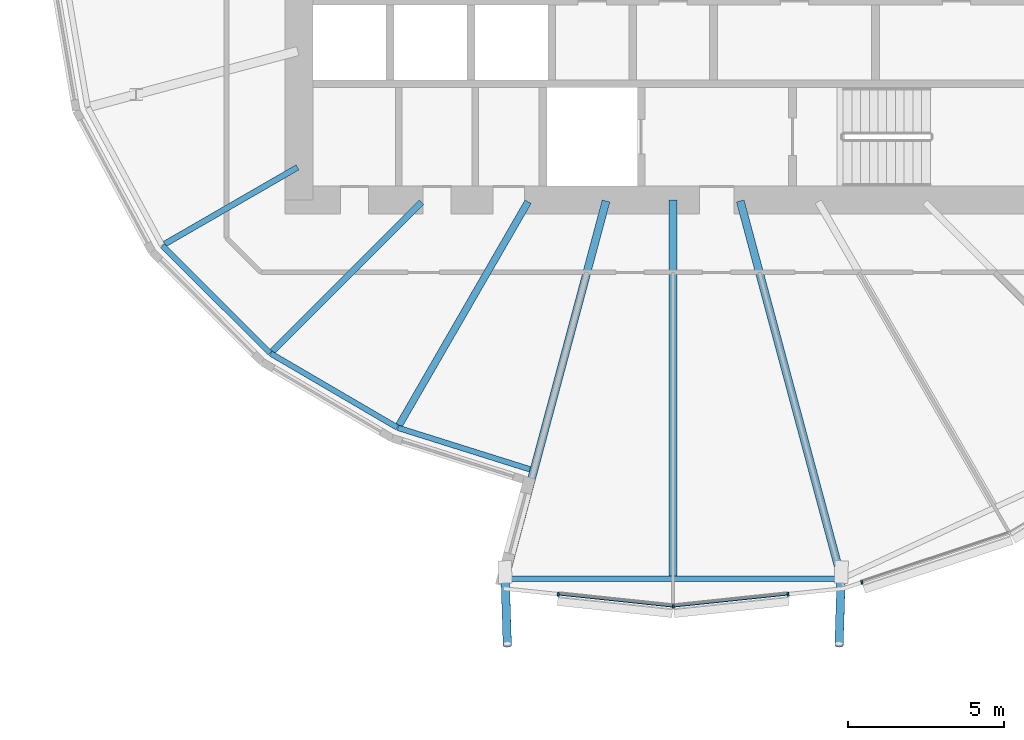
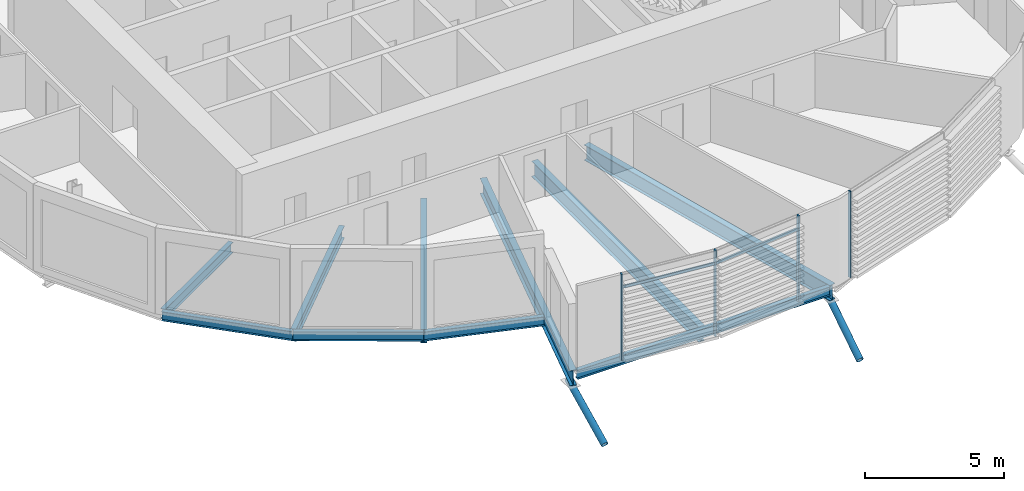
# One storey, part 3 of 38: 10 beams, 8 members, 1 element without a shape of its own.
"""IFC4 building model written with IfcOpenShell, lengths in metres."""

from ifc_helpers import new_model, si_unit, direction, frame, origin, origin_2d, place, context, subcontext, project, spatial, rectangle, hollow_circle, i_section, extrude, clip, halfspace, material, material_profile, profile_set, type_object, element, aggregate, save


model = new_model("IFC4")

# Units and contexts
model_context = context("Model", 3, precision=1e-05, world=origin(), true_north=direction((0.0, 1.0)))
body_context = subcontext(model_context, "Body", "Model", "MODEL_VIEW")
ifc_project = project(units=[si_unit("LENGTHUNIT", "METRE"), si_unit("AREAUNIT", "SQUARE_METRE"), si_unit("VOLUMEUNIT", "CUBIC_METRE"), si_unit("PLANEANGLEUNIT", "RADIAN"), si_unit("MASSUNIT", "GRAM", prefix="KILO")], contexts=[model_context])

# Site, building, storey
site_placement = place(None, origin())
site = spatial("IfcSite", under=ifc_project, at=site_placement, CompositionType="ELEMENT")
building_placement = place(site_placement, origin())
building = spatial("IfcBuilding", under=site, at=building_placement, Name="Rimbun Link Towers", CompositionType="ELEMENT")
storey_placement = place(building_placement, frame((0.0, 0.0, 68.0)))
storey = spatial("IfcBuildingStorey", under=building, at=storey_placement, Name="L16", CompositionType="ELEMENT", Elevation=68.0)

# Curtain wall, members
ifc_material_1 = material(Name="Aluminium 6063-T6 and low-iron glass", Category="aluminium")
curtain_wall_type = type_object("IfcCurtainWallType", Name="CW1 unitised vision wall", PredefinedType="NOTDEFINED", material=ifc_material_1)
curtain_wall_placement = place(storey_placement, origin())
curtain_wall = element("IfcCurtainWall", 1, at=curtain_wall_placement, inside=storey, type_object=curtain_wall_type, Name="CW1 L16 T1", PredefinedType="NOTDEFINED")
ifc_material_2 = material(Name="Aluminium 6063-T6", Category="aluminium")
ifc_material_profile_1 = material_profile(ifc_material_2, rectangle(XDim=0.1201171875, YDim=0.06005859375, at=origin_2d()), Name="MULLION 60X120")
ifc_profile_set_1 = profile_set([ifc_material_profile_1], Name="Aluminium 6063-T6")
member_type_1 = type_object("IfcMemberType", Name="CW1 mullion 60X120", PredefinedType="MULLION", material=ifc_profile_set_1)
member_1_placement = place(storey_placement, frame((-31.75, -21.037109375, 0.0), z_axis=(0.0, 0.0, 1.0), x_axis=(0.0, -1.0, 0.0)))
member_1 = element("IfcMember", 2, at=member_1_placement, type_object=member_type_1, Name="CW1 mullion", PredefinedType="MULLION", context=body_context, shape_type="SweptSolid", body=[
    extrude(rectangle(XDim=0.1201171875, YDim=0.06005859375, at=origin_2d()), origin(), (0.0, 0.0, 1.0), 3.800048828125),
])
member_2_placement = place(storey_placement, frame((-35.4326171875, -20.6494140625, 0.0), z_axis=(0.0, 0.0, 1.0), x_axis=(-0.104734976112, -0.994500168315, 0.0)))
member_2 = element("IfcMember", 3, at=member_2_placement, type_object=member_type_1, Name="CW1 mullion", PredefinedType="MULLION", context=body_context, shape_type="SweptSolid", body=[
    extrude(rectangle(XDim=0.1201171875, YDim=0.06005859375, at=origin_2d()), origin(), (0.0, 0.0, 1.0), 3.800048828125),
])
member_3_placement = place(storey_placement, frame((-28.0673828125, -20.6494140625, 0.0), z_axis=(0.0, 0.0, 1.0), x_axis=(0.104734976112, -0.994500168315, 0.0)))
member_3 = element("IfcMember", 4, at=member_3_placement, type_object=member_type_1, Name="CW1 mullion", PredefinedType="MULLION", context=body_context, shape_type="SweptSolid", body=[
    extrude(rectangle(XDim=0.1201171875, YDim=0.06005859375, at=origin_2d()), origin(), (0.0, 0.0, 1.0), 3.800048828125),
])
member_4_placement = place(storey_placement, frame((-25.695068359375, -20.26953125, 0.0), z_axis=(0.0, 0.0, 1.0), x_axis=(0.314555783293, -0.949238989505, 0.0)))
member_4 = element("IfcMember", 5, at=member_4_placement, type_object=member_type_1, Name="CW1 mullion", PredefinedType="MULLION", context=body_context, shape_type="SweptSolid", body=[
    extrude(rectangle(XDim=0.1201171875, YDim=0.06005859375, at=origin_2d()), origin(), (0.0, 0.0, 1.0), 3.800048828125),
])
ifc_material_3 = material(Name="Aluminium 6063-T6", Category="aluminium")
ifc_material_profile_2 = material_profile(ifc_material_3, rectangle(XDim=0.06005859375, YDim=0.1201171875, at=origin_2d()), Name="TRANSOM 60X120")
ifc_profile_set_2 = profile_set([ifc_material_profile_2], Name="Aluminium 6063-T6")
member_type_2 = type_object("IfcMemberType", Name="CW1 transom 60X120", PredefinedType="USERDEFINED", material=ifc_profile_set_2)
member_5_placement = place(storey_placement, frame((-31.785888671875, -21.031494140625, 3.199951171875), z_axis=(-0.994501037845, 0.104726719255, 0.0), x_axis=(-0.104726719255, -0.994501037845, 0.0)))
member_5 = element("IfcMember", 6, at=member_5_placement, type_object=member_type_2, Name="CW1 transom", ObjectType="TRANSOM", PredefinedType="USERDEFINED", context=body_context, shape_type="SweptSolid", body=[
    extrude(rectangle(XDim=0.06005859375, YDim=0.1201171875, at=origin_2d()), origin(), (0.0, 0.0, 1.0), 3.63671875),
])
member_6_placement = place(storey_placement, frame((-28.097412109375, -20.650634765625, 3.199951171875), z_axis=(-0.994501037845, -0.104726719255, 0.0), x_axis=(0.104726719255, -0.994501037845, 0.0)))
member_6 = element("IfcMember", 7, at=member_6_placement, type_object=member_type_2, Name="CW1 transom", ObjectType="TRANSOM", PredefinedType="USERDEFINED", context=body_context, shape_type="SweptSolid", body=[
    extrude(rectangle(XDim=0.06005859375, YDim=0.1201171875, at=origin_2d()), origin(), (0.0, 0.0, 1.0), 3.63671875),
])
aggregate(curtain_wall, [member_1, member_2, member_3, member_4, member_5, member_6])

# Members
ifc_material_4 = material(Name="Steel S355J2H", Category="steel")
ifc_material_profile_3 = material_profile(ifc_material_4, hollow_circle(Radius=0.136474609375, WallThickness=0.012451171875, at=origin_2d()), Name="CHS 273x12.5")
ifc_profile_set_3 = profile_set([ifc_material_profile_3], Name="Steel S355J2H")
member_type_3 = type_object("IfcMemberType", Name="Floor edge link CHS 273x12.5", PredefinedType="BRACE", material=ifc_profile_set_3)
for number, where, z_axis, x_axis, name in (
    (8, (-37.13818359375, -20.1083984375, -0.962158203125), (0.027536932108, -0.872068180878, -0.488609051563), (0.99950183225, 0.031560851204, 0.0), "Floor edge link T1 L16 17"),
    (9, (-26.36181640625, -20.1083984375, -0.962158203125), (-0.027536932108, -0.872068180878, -0.488609051563), (0.99950183225, -0.031560851204, 0.0), "Floor edge link T1 L16 19"),
):
    element("IfcMember", number, at=place(storey_placement, frame(where, z_axis=z_axis, x_axis=x_axis)), inside=storey, type_object=member_type_3, Name=name, PredefinedType="BRACE", context=body_context, shape_type="Clipping", body=[
        clip(extrude(hollow_circle(Radius=0.136474609375, WallThickness=0.012451171875, at=origin_2d()), frame((0.0, 0.0, -0.508056640625)), (0.0, 0.0, 1.0), 2.999267578125), halfspace(frame((0.0, 0.0, -0.23876953125), z_axis=(0.0, 0.872502833652, -0.488609051563)), False)),
    ])

# Beams
ifc_material_5 = material(Name="Steel S355J2", Category="steel")
ifc_material_profile_4 = material_profile(ifc_material_5, i_section(OverallWidth=0.177978515625, OverallDepth=0.406494140625, WebThickness=0.0078125, FlangeThickness=0.0126953125, at=origin_2d()), Name="UB 406x178x60")
ifc_profile_set_4 = profile_set([ifc_material_profile_4], Name="Steel S355J2")
beam_type_1 = type_object("IfcBeamType", Name="UB 406x178x60", PredefinedType="BEAM", material=ifc_profile_set_4)
beam_1_placement = place(storey_placement, frame((-48.127197265625, -9.470947265625, -0.36328125), z_axis=(0.708083429318, -0.706128782252, 0.0), x_axis=(0.706128782252, 0.708083429318, 0.0)))
element("IfcBeam", 10, at=beam_1_placement, inside=storey, type_object=beam_type_1, Name="Edge beam T1 L16 14 recess", PredefinedType="BEAM", context=body_context, shape_type="SweptSolid", body=[
    extrude(i_section(OverallWidth=0.177978515625, OverallDepth=0.406494140625, WebThickness=0.0078125, FlangeThickness=0.0126953125, at=origin_2d()), origin(), (0.0, 0.0, 1.0), 4.87109375),
])
beam_2_placement = place(storey_placement, frame((-44.65869140625, -12.925537109375, -0.36328125), z_axis=(0.86328357822, -0.504719192795, 0.0), x_axis=(0.504719192795, 0.86328357822, 0.0)))
element("IfcBeam", 11, at=beam_2_placement, inside=storey, type_object=beam_type_1, Name="Edge beam T1 L16 15 recess", PredefinedType="BEAM", context=body_context, shape_type="SweptSolid", body=[
    extrude(i_section(OverallWidth=0.177978515625, OverallDepth=0.406494140625, WebThickness=0.0078125, FlangeThickness=0.0126953125, at=origin_2d()), origin(), (0.0, 0.0, 1.0), 4.70556640625),
])
beam_3_placement = place(storey_placement, frame((-40.576416015625, -15.309326171875, -0.36328125), z_axis=(0.95394962569, -0.299966850912, 0.0), x_axis=(0.299966850912, 0.95394962569, 0.0)))
element("IfcBeam", 12, at=beam_3_placement, inside=storey, type_object=beam_type_1, Name="Edge beam T1 L16 16 recess", PredefinedType="BEAM", context=body_context, shape_type="SweptSolid", body=[
    extrude(i_section(OverallWidth=0.177978515625, OverallDepth=0.406494140625, WebThickness=0.0078125, FlangeThickness=0.0126953125, at=origin_2d()), origin(), (0.0, 0.0, 1.0), 4.435791015625),
])
beam_4_placement = place(storey_placement, frame((-37.018798828125, -20.15673828125, -0.36328125), z_axis=(1.0, 0.0, 0.0), x_axis=(0.0, 1.0, 0.0)))
element("IfcBeam", 13, at=beam_4_placement, inside=storey, type_object=beam_type_1, Name="Edge beam T1 L16 17-19", PredefinedType="BEAM", context=body_context, shape_type="SweptSolid", body=[
    extrude(i_section(OverallWidth=0.177978515625, OverallDepth=0.406494140625, WebThickness=0.0078125, FlangeThickness=0.0126953125, at=origin_2d()), origin(), (0.0, 0.0, 1.0), 10.53759765625),
])
ifc_material_6 = material(Name="Steel S355J2", Category="steel")
ifc_material_profile_5 = material_profile(ifc_material_6, i_section(OverallWidth=0.18994140625, OverallDepth=0.453369140625, WebThickness=0.008544921875, FlangeThickness=0.0126953125, at=origin_2d()), Name="UB 457x191x67")
ifc_profile_set_5 = profile_set([ifc_material_profile_5], Name="Steel S355J2")
beam_type_2 = type_object("IfcBeamType", Name="UB 457x191x67", PredefinedType="BEAM", material=ifc_profile_set_5)
beam_5_placement = place(storey_placement, frame((-43.79833984375, -6.9560546875, -0.38671875), z_axis=(-0.866020293397, -0.500008851346, 0.0), x_axis=(0.500008851346, -0.866020293397, 0.0)))
element("IfcBeam", 14, at=beam_5_placement, inside=storey, type_object=beam_type_2, Name="Radial beam T1 L16 14", PredefinedType="BEAM", context=body_context, shape_type="SweptSolid", body=[
    extrude(i_section(OverallWidth=0.18994140625, OverallDepth=0.453369140625, WebThickness=0.008544921875, FlangeThickness=0.0126953125, at=origin_2d()), origin(), (0.0, 0.0, 1.0), 4.91943359375),
])
ifc_material_7 = material(Name="Steel S355J2", Category="steel")
ifc_material_profile_6 = material_profile(ifc_material_7, i_section(OverallWidth=0.209228515625, OverallDepth=0.533203125, WebThickness=0.010009765625, FlangeThickness=0.015625, at=origin_2d()), Name="UB 533x210x92")
ifc_profile_set_6 = profile_set([ifc_material_profile_6], Name="Steel S355J2")
beam_type_3 = type_object("IfcBeamType", Name="UB 533x210x92", PredefinedType="BEAM", material=ifc_profile_set_6)
beam_6_placement = place(storey_placement, frame((-39.82470703125, -8.07470703125, -0.426513671875), z_axis=(-0.707106781187, -0.707106781187, 0.0), x_axis=(0.707106781187, -0.707106781187, 0.0)))
element("IfcBeam", 15, at=beam_6_placement, inside=storey, type_object=beam_type_3, Name="Radial beam T1 L16 15", PredefinedType="BEAM", context=body_context, shape_type="SweptSolid", body=[
    extrude(i_section(OverallWidth=0.209228515625, OverallDepth=0.533203125, WebThickness=0.010009765625, FlangeThickness=0.015625, at=origin_2d()), origin(), (0.0, 0.0, 1.0), 6.7607421875),
])
ifc_material_8 = material(Name="Steel S355J2", Category="steel")
ifc_material_profile_7 = material_profile(ifc_material_8, i_section(OverallWidth=0.2275390625, OverallDepth=0.6025390625, WebThickness=0.010498046875, FlangeThickness=0.014892578125, at=origin_2d()), Name="UB 610x229x101")
ifc_profile_set_7 = profile_set([ifc_material_profile_7], Name="Steel S355J2")
beam_type_4 = type_object("IfcBeamType", Name="UB 610x229x101", PredefinedType="BEAM", material=ifc_profile_set_7)
beam_7_placement = place(storey_placement, frame((-36.402099609375, -8.057861328125, -0.461181640625), z_axis=(-0.500008344384, -0.866020586098, 0.0), x_axis=(0.866020586098, -0.500008344384, 0.0)))
element("IfcBeam", 16, at=beam_7_placement, inside=storey, type_object=beam_type_4, Name="Radial beam T1 L16 16", PredefinedType="BEAM", context=body_context, shape_type="SweptSolid", body=[
    extrude(i_section(OverallWidth=0.2275390625, OverallDepth=0.6025390625, WebThickness=0.010498046875, FlangeThickness=0.014892578125, at=origin_2d()), origin(), (0.0, 0.0, 1.0), 8.279052734375),
])
ifc_material_9 = material(Name="Steel S355J2", Category="steel")
ifc_material_profile_8 = material_profile(ifc_material_9, i_section(OverallWidth=0.253662109375, OverallDepth=0.68359375, WebThickness=0.012451171875, FlangeThickness=0.01904296875, at=origin_2d()), Name="UB 686x254x140")
ifc_profile_set_8 = profile_set([ifc_material_profile_8], Name="Steel S355J2")
beam_type_5 = type_object("IfcBeamType", Name="UB 686x254x140", PredefinedType="BEAM", material=ifc_profile_set_8)
beam_8_placement = place(storey_placement, frame((-33.902587890625, -8.03369140625, -0.501708984375), z_axis=(-0.258813870741, -0.96592721274, 0.0), x_axis=(0.96592721274, -0.258813870741, 0.0)))
element("IfcBeam", 17, at=beam_8_placement, inside=storey, type_object=beam_type_5, Name="Radial beam T1 L16 17", PredefinedType="BEAM", context=body_context, shape_type="SweptSolid", body=[
    extrude(i_section(OverallWidth=0.253662109375, OverallDepth=0.68359375, WebThickness=0.012451171875, FlangeThickness=0.01904296875, at=origin_2d()), origin(), (0.0, 0.0, 1.0), 12.55078125),
])
beam_9_placement = place(storey_placement, frame((-31.75, -8.0009765625, -0.501708984375), z_axis=(0.0, -1.0, 0.0), x_axis=(1.0, 0.0, 0.0)))
element("IfcBeam", 18, at=beam_9_placement, inside=storey, type_object=beam_type_5, Name="Radial beam T1 L16 18", PredefinedType="BEAM", context=body_context, shape_type="SweptSolid", body=[
    extrude(i_section(OverallWidth=0.253662109375, OverallDepth=0.68359375, WebThickness=0.012451171875, FlangeThickness=0.01904296875, at=origin_2d()), origin(), (0.0, 0.0, 1.0), 12.06591796875),
])
beam_10_placement = place(storey_placement, frame((-29.597412109375, -8.03369140625, -0.501708984375), z_axis=(0.258813870741, -0.96592721274, 0.0), x_axis=(0.96592721274, 0.258813870741, 0.0)))
element("IfcBeam", 19, at=beam_10_placement, inside=storey, type_object=beam_type_5, Name="Radial beam T1 L16 19", PredefinedType="BEAM", context=body_context, shape_type="SweptSolid", body=[
    extrude(i_section(OverallWidth=0.253662109375, OverallDepth=0.68359375, WebThickness=0.012451171875, FlangeThickness=0.01904296875, at=origin_2d()), origin(), (0.0, 0.0, 1.0), 12.55078125),
])

save(model, "model.ifc")
